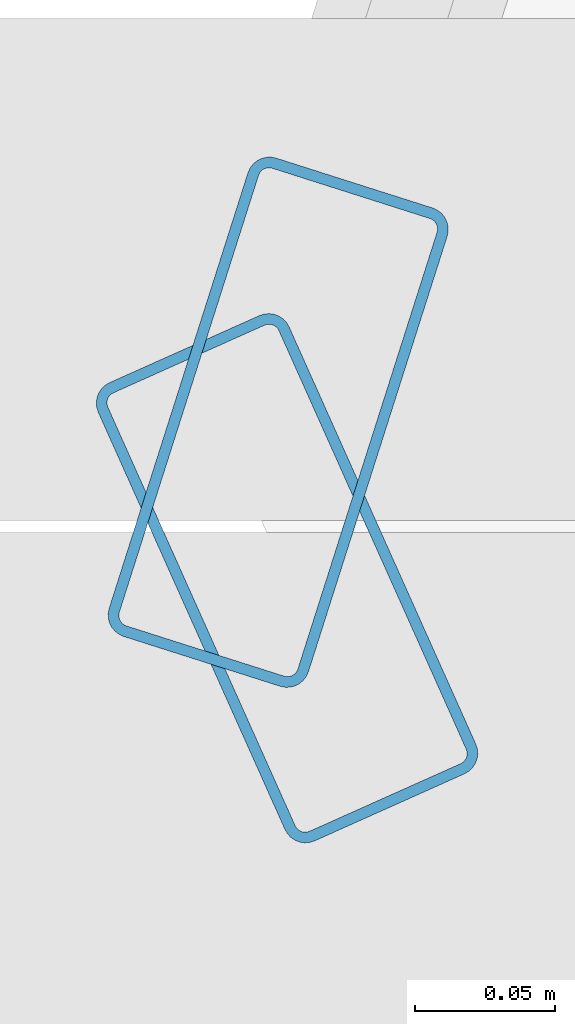
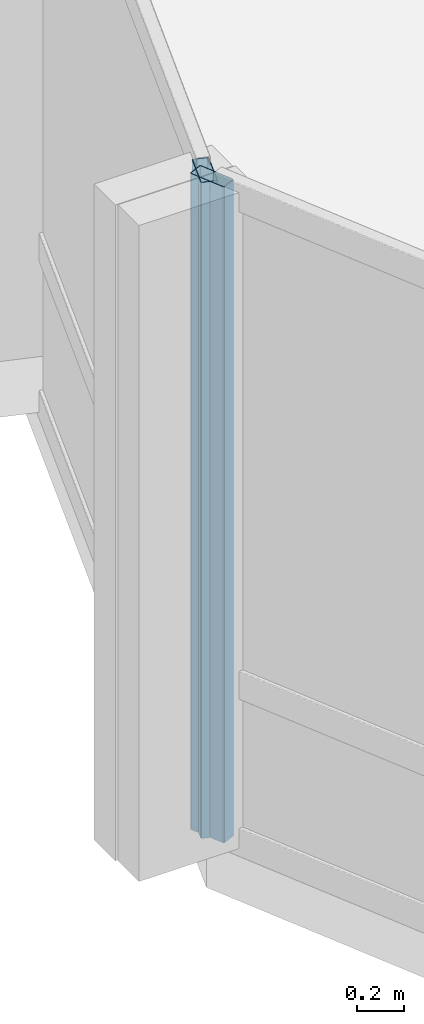
# One storey, part 6 of 19: 2 members, 2 elements without a shape of their own.
"""IFC4 building model written with IfcOpenShell, lengths in metres."""

import ifcopenshell
import ifcopenshell.guid

model = None  # the IFC model being written
_history = None  # IfcOwnerHistory: only IFC2X3 demands one
_inside = {}  # id of a spatial element -> (the spatial element, [elements in it])
_under = {}  # id of a project, library or spatial element -> (it, [spatial elements below it])
_declared = {}  # id of a project -> (the project, [libraries it declares])
_typed = {}  # id of a type object -> (the type object, [elements of that type])
_made_of = {}  # id of a material, layer set ... -> (it, [elements and type objects made of it])


def new_model(schema):
    """Start an empty IFC model of exactly this schema.

    Asked for "IFC4X3", IfcOpenShell would pick the latest addendum, in which some entities
    have other attributes; the version numbers below select the first issue.
    IFC2X3 requires an IfcOwnerHistory on every rooted entity: one is made here for all.
    """
    global model, _history
    if schema == "IFC4X3":
        model = ifcopenshell.file(schema_version=(4, 3, 0, 0))
    else:
        model = ifcopenshell.file(schema=schema)
    _inside.clear()
    _under.clear()
    _declared.clear()
    _typed.clear()
    _made_of.clear()
    _history = None
    if model.schema == "IFC2X3":
        org = make("IfcOrganization", Name="unknown")
        user = make(
            "IfcPersonAndOrganization",
            ThePerson=make("IfcPerson", FamilyName="unknown"),
            TheOrganization=org,
        )
        app = make(
            "IfcApplication",
            ApplicationDeveloper=org,
            Version="unknown",
            ApplicationFullName="unknown",
            ApplicationIdentifier="unknown",
        )
        _history = make(
            "IfcOwnerHistory",
            OwningUser=user,
            OwningApplication=app,
            ChangeAction="ADDED",
            CreationDate=0,
        )
    return model


def make(cls, **values):
    """One entity of the class cls with the attributes given. An attribute that is None is left unset."""
    return model.create_entity(
        cls, **{name: value for name, value in values.items() if value is not None}
    )


def rooted(cls, **values):
    """An entity with a GlobalId (a new one), such as an element, a storey or a relation."""
    return make(cls, GlobalId=ifcopenshell.guid.new(), OwnerHistory=_history, **values)


def si_unit(unit_type, name, prefix=None):
    """IfcSIUnit, for example si_unit("LENGTHUNIT", "METRE", prefix="MILLI")."""
    return make("IfcSIUnit", UnitType=unit_type, Prefix=prefix, Name=name)


def assignment(units):
    """IfcUnitAssignment: the units of a project."""
    return None if units is None else make("IfcUnitAssignment", Units=units)


def point(xyz):
    """IfcCartesianPoint."""
    return None if xyz is None else make("IfcCartesianPoint", Coordinates=xyz)


def direction(xyz):
    """IfcDirection."""
    return None if xyz is None else make("IfcDirection", DirectionRatios=xyz)


def frame(location, z_axis=None, x_axis=None):
    """IfcAxis2Placement3D, a coordinate frame: its origin and axes. An axis left out is left unset."""
    return make(
        "IfcAxis2Placement3D",
        Location=point(location),
        Axis=direction(z_axis),
        RefDirection=direction(x_axis),
    )


def frame_2d(location, x_axis=None):
    """IfcAxis2Placement2D, a coordinate frame in the plane: its origin and x axis."""
    return make(
        "IfcAxis2Placement2D", Location=point(location), RefDirection=direction(x_axis)
    )


def origin():
    """The frame at (0, 0, 0) with its axes left unset."""
    return frame((0.0, 0.0, 0.0))


def origin_2d():
    """The frame at (0, 0) in the plane with its x axis left unset."""
    return frame_2d((0.0, 0.0))


def place(relative_to, where):
    """IfcLocalPlacement: puts the frame where relative to a parent placement (None: the world)."""
    return make(
        "IfcLocalPlacement", PlacementRelTo=relative_to, RelativePlacement=where
    )


def context(
    kind, dimensions, precision=None, world=None, true_north=None, identifier=None
):
    """IfcGeometricRepresentationContext, for example the 3D "Model" context."""
    return make(
        "IfcGeometricRepresentationContext",
        ContextIdentifier=identifier,
        ContextType=kind,
        CoordinateSpaceDimension=dimensions,
        Precision=precision,
        WorldCoordinateSystem=world,
        TrueNorth=true_north,
    )


def subcontext(parent, identifier, kind, view, scale=None):
    """IfcGeometricRepresentationSubContext, for example "Body" below "Model"."""
    return make(
        "IfcGeometricRepresentationSubContext",
        ContextIdentifier=identifier,
        ContextType=kind,
        ParentContext=parent,
        TargetScale=scale,
        TargetView=view,
    )


def project(units=None, contexts=None):
    """IfcProject with its units and contexts."""
    return rooted(
        "IfcProject",
        Name="project",
        RepresentationContexts=contexts,
        UnitsInContext=assignment(units),
    )


def spatial(cls, under=None, at=None, **own):
    """A site, building, storey or space (cls), placed at a placement, below another one or the project."""
    s = rooted(cls, ObjectPlacement=at, **own)
    if under is not None:
        _under.setdefault(under.id(), (under, []))[1].append(s)
    return s


def profile(cls, at=None, kind="AREA", **sizes):
    """A parametric profile (cls). Its sizes go by their IFC names, for example OverallWidth=200.0."""
    return make(cls, ProfileType=kind, Position=at, **sizes)


def hollow_rectangle(**sizes):
    """IfcRectangleHollowProfileDef."""
    return profile("IfcRectangleHollowProfileDef", **sizes)


def extrude(swept, where, along, depth):
    """IfcExtrudedAreaSolid: the profile swept, set in the frame where, extruded along a direction by depth."""
    return make(
        "IfcExtrudedAreaSolid",
        SweptArea=swept,
        Position=where,
        ExtrudedDirection=direction(along),
        Depth=depth,
    )


def shape(context_of_items, identifier, shape_type, items):
    """IfcShapeRepresentation: the items that make up one representation, for example the "Body"."""
    return make(
        "IfcShapeRepresentation",
        ContextOfItems=context_of_items,
        RepresentationIdentifier=identifier,
        RepresentationType=shape_type,
        Items=items,
    )


def material(Name=None, Category=None):
    """IfcMaterial."""
    return make("IfcMaterial", Name=Name, Category=Category)


def layer(
    of_material, thickness, ventilated=None, Name=None, Category=None, Priority=None
):
    """IfcMaterialLayer: one layer of a wall or slab, of a material (None: an air gap)."""
    return make(
        "IfcMaterialLayer",
        Material=of_material,
        LayerThickness=thickness,
        IsVentilated=ventilated,
        Name=Name,
        Category=Category,
        Priority=Priority,
    )


def layer_set(layers, Name=None):
    """IfcMaterialLayerSet."""
    return make("IfcMaterialLayerSet", MaterialLayers=layers, LayerSetName=Name)


def material_profile(
    of_material, cross_section, Name=None, Category=None, Priority=None
):
    """IfcMaterialProfile: a cross section and its material."""
    return make(
        "IfcMaterialProfile",
        Name=Name,
        Material=of_material,
        Profile=cross_section,
        Priority=Priority,
        Category=Category,
    )


def profile_set(profiles, Name=None, composite=None):
    """IfcMaterialProfileSet."""
    return make(
        "IfcMaterialProfileSet",
        Name=Name,
        MaterialProfiles=profiles,
        CompositeProfile=composite,
    )


def made_of(thing, what):
    """Note that an element or type object is made of a material, layer set ...; save() writes the relation."""
    if what is not None:
        _made_of.setdefault(what.id(), (what, []))[1].append(thing)
    return thing


def type_object(cls, material=None, **own):
    """A type object (cls), such as IfcWallType, which elements share."""
    return made_of(rooted(cls, **own), material)


def element(
    cls,
    number,
    at=None,
    inside=None,
    cuts=None,
    type_object=None,
    material=None,
    context=None,
    identifier="Body",
    shape_type=None,
    held_by="IfcProductDefinitionShape",
    body=None,
    shapes=None,
    **own,
):
    """One element of the class cls, such as IfcWall. Its Tag is "e" and its number.

    at: its placement. inside: the storey or other place that contains it. cuts: it is an
    opening in that element (IfcRelVoidsElement). A single representation is given by context,
    identifier, shape_type and body (its items); several are given by shapes. held_by: the class
    of the entity that holds the representations. save() writes the other relations.
    """
    e = rooted(cls, Tag="e%d" % number, ObjectPlacement=at, **own)
    if body is not None:
        shapes = [shape(context, identifier, shape_type, body)]
    if shapes is not None:
        e.Representation = make(held_by, Representations=shapes)
    if inside is not None:
        _inside.setdefault(inside.id(), (inside, []))[1].append(e)
    if cuts is not None:
        rooted(
            "IfcRelVoidsElement", RelatingBuildingElement=cuts, RelatedOpeningElement=e
        )
    if type_object is not None:
        _typed.setdefault(type_object.id(), (type_object, []))[1].append(e)
    return made_of(e, material)


def aggregate(whole, parts):
    """IfcRelAggregates: a whole, such as a stair, and the parts it consists of."""
    return rooted("IfcRelAggregates", RelatingObject=whole, RelatedObjects=parts)


def save(model, path):
    """Write the relations noted so far, then the file.

    IfcRelAggregates (storeys below a building ...), IfcRelContainedInSpatialStructure (elements
    in a storey), IfcRelDefinesByType, IfcRelAssociatesMaterial and IfcRelDeclares: one each for
    every whole, place, type object, material and project.
    """
    for whole, parts in _under.values():
        aggregate(whole, parts)
    for where, things in _inside.values():
        rooted(
            "IfcRelContainedInSpatialStructure",
            RelatedElements=things,
            RelatingStructure=where,
        )
    for kind, things in _typed.values():
        rooted("IfcRelDefinesByType", RelatedObjects=things, RelatingType=kind)
    for what, things in _made_of.values():
        rooted("IfcRelAssociatesMaterial", RelatedObjects=things, RelatingMaterial=what)
    for by, libraries in _declared.values():
        rooted("IfcRelDeclares", RelatingContext=by, RelatedDefinitions=libraries)
    model.write(path)


model = new_model("IFC4")

# Units and contexts
model_context = context("Model", 3, precision=1e-05, world=origin(), true_north=direction((0.0, 1.0)))
body_context = subcontext(model_context, "Body", "Model", "MODEL_VIEW")
ifc_project = project(units=[si_unit("LENGTHUNIT", "METRE"), si_unit("AREAUNIT", "SQUARE_METRE"), si_unit("VOLUMEUNIT", "CUBIC_METRE"), si_unit("PLANEANGLEUNIT", "RADIAN"), si_unit("MASSUNIT", "GRAM", prefix="KILO")], contexts=[model_context])

# Site, building, storey
site_placement = place(None, origin())
site = spatial("IfcSite", under=ifc_project, at=site_placement, CompositionType="ELEMENT")
building_placement = place(site_placement, origin())
building = spatial("IfcBuilding", under=site, at=building_placement, Name="Solvaryn Broadcast Tower", CompositionType="ELEMENT")
storey_placement = place(building_placement, frame((0.0, 0.0, 290.0)))
storey = spatial("IfcBuildingStorey", under=building, at=storey_placement, Name="L73", CompositionType="ELEMENT", Elevation=290.0)

# Curtain wall, member
ifc_material_1 = material(Name="Aluminium and Terracotta Unitised Curtain Wall", Category="masonry")
ifc_layer_1 = layer(ifc_material_1, 0.199951171875)
ifc_layer_set_1 = layer_set([ifc_layer_1], Name="CW-SYS2-LOWMID")
curtain_wall_type_1 = type_object("IfcCurtainWallType", Name="CW-SYS2-LOWMID", PredefinedType="NOTDEFINED", material=ifc_layer_set_1)
curtain_wall_1_placement = place(storey_placement, origin())
curtain_wall_1 = element("IfcCurtainWall", 1, at=curtain_wall_1_placement, inside=storey, type_object=curtain_wall_type_1, Name="L73 Curtain Wall DR1", PredefinedType="NOTDEFINED")
ifc_material_2 = material(Name="Anodised Aluminium 6063-T6", Category="aluminium")
ifc_material_profile = material_profile(ifc_material_2, hollow_rectangle(XDim=0.074951171875, YDim=0.179931640625, WallThickness=0.00390625, InnerFilletRadius=0.00390625, OuterFilletRadius=0.008056640625, at=origin_2d()))
ifc_profile_set = profile_set([ifc_material_profile], Name="Anodised Aluminium 6063-T6")
member_type = type_object("IfcMemberType", Name="CW-MUL-180", PredefinedType="MULLION", material=ifc_profile_set)
member_1_placement = place(storey_placement, frame((3.7470703125, 26.66455078125, 0.0), z_axis=(0.0, 0.0, 1.0), x_axis=(0.952794594701, -0.30361564569, 0.0)))
member_1 = element("IfcMember", 2, at=member_1_placement, type_object=member_type, Name="CWS2 mullion 2", PredefinedType="MULLION", context=body_context, shape_type="SweptSolid", body=[
    extrude(hollow_rectangle(XDim=0.074951171875, YDim=0.179931640625, WallThickness=0.00390625, InnerFilletRadius=0.00390625, OuterFilletRadius=0.008056640625, at=origin_2d()), origin(), (0.0, 0.0, 1.0), 3.419921875),
])
aggregate(curtain_wall_1, [member_1])

ifc_material_3 = material(Name="Aluminium and Terracotta Unitised Curtain Wall", Category="masonry")
ifc_layer_2 = layer(ifc_material_3, 0.239990234375)
ifc_layer_set_2 = layer_set([ifc_layer_2], Name="CW-SYS3-BAYBOX")
curtain_wall_type_2 = type_object("IfcCurtainWallType", Name="CW-SYS3-BAYBOX", PredefinedType="NOTDEFINED", material=ifc_layer_set_2)
curtain_wall_2_placement = place(storey_placement, origin())
curtain_wall_2 = element("IfcCurtainWall", 3, at=curtain_wall_2_placement, inside=storey, type_object=curtain_wall_type_2, Name="L73 Curtain Wall DR2", PredefinedType="NOTDEFINED")
member_2_placement = place(storey_placement, frame((3.750244140625, 26.608642578125, 0.0), z_axis=(0.0, 0.0, 1.0), x_axis=(0.912773530574, 0.408466010682, 0.0)))
member_2 = element("IfcMember", 4, at=member_2_placement, type_object=member_type, Name="CWS3 mullion 1", PredefinedType="MULLION", context=body_context, shape_type="SweptSolid", body=[
    extrude(hollow_rectangle(XDim=0.074951171875, YDim=0.179931640625, WallThickness=0.00390625, InnerFilletRadius=0.00390625, OuterFilletRadius=0.008056640625, at=origin_2d()), origin(), (0.0, 0.0, 1.0), 3.419921875),
])
aggregate(curtain_wall_2, [member_2])

save(model, "model.ifc")
